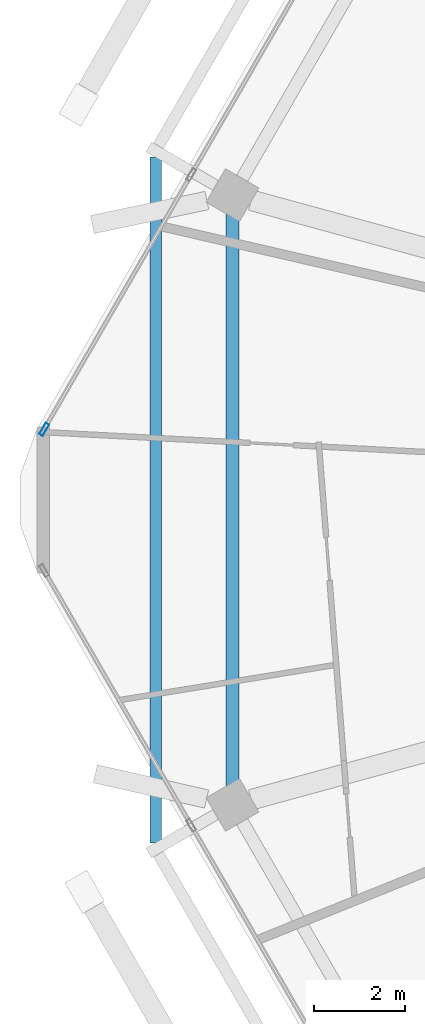
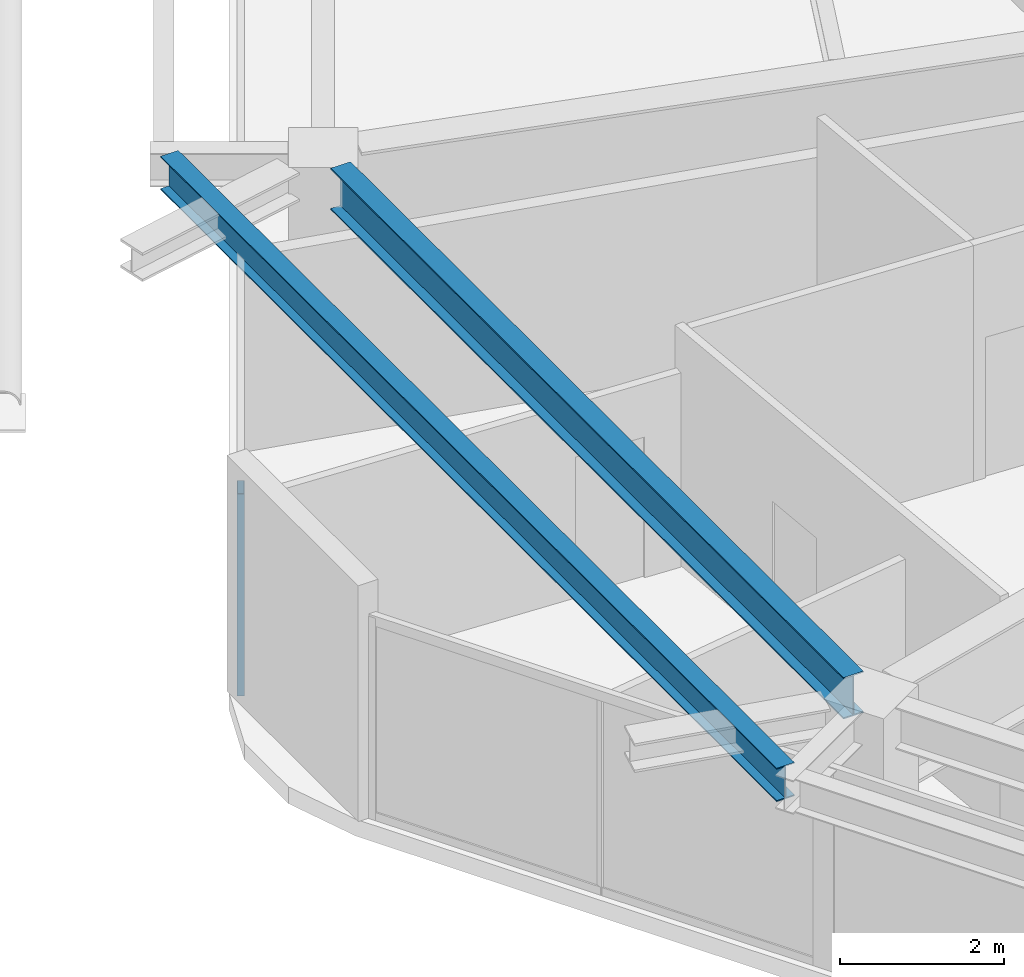
# One storey, part 7 of 26: 2 beams, 1 member, 1 element without a shape of its own.
"""IFC4 building model written with IfcOpenShell, lengths in metres."""

from ifc_helpers import new_model, si_unit, direction, frame, origin, origin_2d, place, context, subcontext, project, spatial, hollow_rectangle, i_section, extrude, material, material_profile, profile_set, type_object, element, aggregate, save


model = new_model("IFC4")

# Units and contexts
model_context = context("Model", 3, precision=1e-05, world=origin(), true_north=direction((0.0, 1.0)))
body_context = subcontext(model_context, "Body", "Model", "MODEL_VIEW")
ifc_project = project(units=[si_unit("LENGTHUNIT", "METRE"), si_unit("AREAUNIT", "SQUARE_METRE"), si_unit("VOLUMEUNIT", "CUBIC_METRE"), si_unit("PLANEANGLEUNIT", "RADIAN"), si_unit("MASSUNIT", "GRAM", prefix="KILO")], contexts=[model_context])

# Site, building, storey
site_placement = place(None, origin())
site = spatial("IfcSite", under=ifc_project, at=site_placement, CompositionType="ELEMENT")
building_placement = place(site_placement, origin())
building = spatial("IfcBuilding", under=site, at=building_placement, Name="Zuhravey Tower", CompositionType="ELEMENT")
storey_placement = place(building_placement, frame((0.0, 0.0, 299.60009765625)))
storey = spatial("IfcBuildingStorey", under=building, at=storey_placement, Name="L76", CompositionType="ELEMENT", Elevation=299.60009765625)

# Curtain wall, member
ifc_material_1 = material(Name="Thermally broken anodised aluminium", Category="aluminium")
curtain_wall_type = type_object("IfcCurtainWallType", Name="Zone 3-4 High-Rise Curtain Wall CW4", PredefinedType="NOTDEFINED", material=ifc_material_1)
curtain_wall_placement = place(storey_placement, origin())
curtain_wall = element("IfcCurtainWall", 1, at=curtain_wall_placement, inside=storey, type_object=curtain_wall_type, Name="L76 CW4 CW-L76-F3-1", PredefinedType="NOTDEFINED")
ifc_material_2 = material(Name="Anodised aluminium", Category="aluminium")
ifc_material_profile_1 = material_profile(ifc_material_2, hollow_rectangle(XDim=0.090087890625, YDim=0.284912109375, WallThickness=0.0048828125, at=origin_2d()), Name="ALU-RHS-90x285x5")
ifc_profile_set_1 = profile_set([ifc_material_profile_1], Name="Anodised aluminium")
member_type = type_object("IfcMemberType", Name="Curtain-Wall Mullion 90x180", PredefinedType="MULLION", material=ifc_profile_set_1)
member_placement = place(storey_placement, frame((7.37744140625, 33.551513671875, 0.0), z_axis=(0.0, 0.0, 1.0), x_axis=(-0.866024851021, 0.500000957414, 0.0)))
member = element("IfcMember", 2, at=member_placement, type_object=member_type, Name="CW4 mullion 1", PredefinedType="MULLION", context=body_context, shape_type="SweptSolid", body=[
    extrude(hollow_rectangle(XDim=0.090087890625, YDim=0.284912109375, WallThickness=0.0048828125, at=origin_2d()), origin(), (0.0, 0.0, 1.0), 3.02001953125),
])
aggregate(curtain_wall, [member])

# Beams
ifc_material_3 = material(Name="Steel SM355", Category="steel")
ifc_material_profile_2 = material_profile(ifc_material_3, i_section(OverallWidth=0.280029296875, OverallDepth=0.6201171875, WebThickness=0.011962890625, FlangeThickness=0.02001953125, at=origin_2d()), Name="H-620x280x12x20")
ifc_profile_set_2 = profile_set([ifc_material_profile_2], Name="Steel SM355")
beam_type_1 = type_object("IfcBeamType", Name="Perimeter Ring Beam H620x280", PredefinedType="BEAM", material=ifc_profile_set_2)
beam_1_placement = place(storey_placement, frame((11.515380859375, 38.27099609375, 3.2099609375), z_axis=(0.0, -1.0, 0.0), x_axis=(1.0, 0.0, 0.0)))
element("IfcBeam", 3, at=beam_1_placement, inside=storey, type_object=beam_type_1, Name="L76 PB3 BM-L76-PB-06", PredefinedType="BEAM", context=body_context, shape_type="SweptSolid", body=[
    extrude(i_section(OverallWidth=0.280029296875, OverallDepth=0.6201171875, WebThickness=0.011962890625, FlangeThickness=0.02001953125, at=origin_2d()), origin(), (0.0, 0.0, 1.0), 12.5419921875),
])
ifc_material_profile_3 = material_profile(ifc_material_3, i_section(OverallWidth=0.25, OverallDepth=0.5, WebThickness=0.010009765625, FlangeThickness=0.01611328125, at=origin_2d()), Name="H-500x250x10x16")
ifc_profile_set_3 = profile_set([ifc_material_profile_3], Name="Steel SM355")
beam_type_2 = type_object("IfcBeamType", Name="Tray Cantilever Spandrel H500x250", PredefinedType="SPANDREL", material=ifc_profile_set_3)
beam_2_placement = place(storey_placement, frame((9.826904296875, 39.533935546875, 3.27001953125), z_axis=(0.0, -1.0, 0.0), x_axis=(1.0, 0.0, 0.0)))
element("IfcBeam", 4, at=beam_2_placement, inside=storey, type_object=beam_type_2, Name="L76 Sky-Tray Edge Spandrel TSB1-06", PredefinedType="SPANDREL", context=body_context, shape_type="SweptSolid", body=[
    extrude(i_section(OverallWidth=0.25, OverallDepth=0.5, WebThickness=0.010009765625, FlangeThickness=0.01611328125, at=origin_2d()), origin(), (0.0, 0.0, 1.0), 15.06787109375),
])

save(model, "model.ifc")
